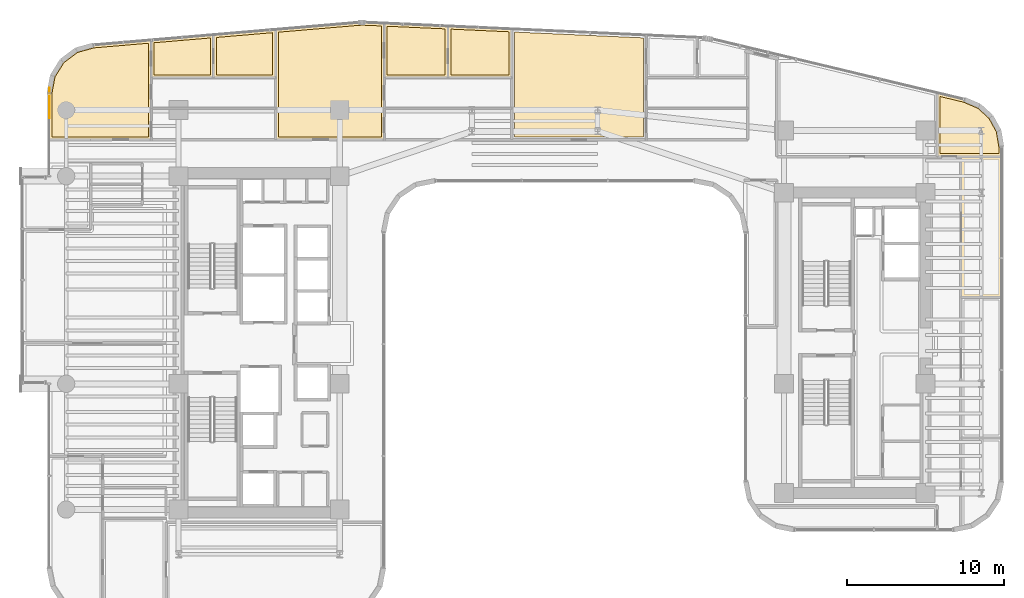
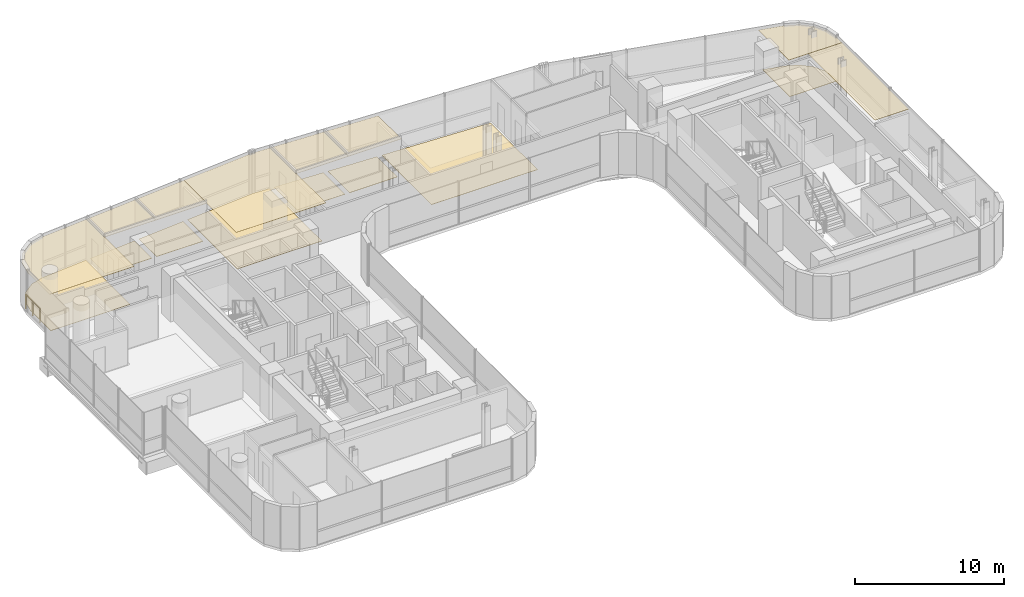
# One storey, part 35 of 36: 16 coverings, 1 railing.
"""IFC4 building model written with IfcOpenShell, lengths in metres."""

from ifc_helpers import new_model, si_unit, direction, frame, origin, origin_2d, place, context, subcontext, project, spatial, polyline, circle, outline, extrude, material, layer, layer_set, type_object, element, save


model = new_model("IFC4")

# Units and contexts
model_context = context("Model", 3, precision=1e-05, world=origin(), true_north=direction((0.0, 1.0)))
body_context = subcontext(model_context, "Body", "Model", "MODEL_VIEW")
ifc_project = project(units=[si_unit("LENGTHUNIT", "METRE"), si_unit("AREAUNIT", "SQUARE_METRE"), si_unit("VOLUMEUNIT", "CUBIC_METRE"), si_unit("PLANEANGLEUNIT", "RADIAN"), si_unit("MASSUNIT", "GRAM", prefix="KILO")], contexts=[model_context])

# Site, building, storey
site_placement = place(None, origin())
site = spatial("IfcSite", under=ifc_project, at=site_placement, CompositionType="ELEMENT")
building_placement = place(site_placement, origin())
building = spatial("IfcBuilding", under=site, at=building_placement, Name="Valdorenza Pilgrim Sanctuary Tower", CompositionType="ELEMENT")
storey_placement = place(building_placement, frame((0.0, 0.0, 109.39990234375)))
storey = spatial("IfcBuildingStorey", under=building, at=storey_placement, Name="L27", CompositionType="ELEMENT", Elevation=109.39990234375)

# Coverings
ifc_material_1 = material(Name="Micro-perforated acoustic mineral ceiling tile", Category="gypsum")
ifc_layer_1 = layer(ifc_material_1, 0.02490234375, Name="Micro-perforated acoustic mineral ceiling tile")
ifc_layer_set_1 = layer_set([ifc_layer_1], Name="Micro-perforated acoustic mineral ceiling tile")
covering_type_1 = type_object("IfcCoveringType", Name="COV-CLG-ACU", PredefinedType="CEILING", material=ifc_layer_set_1)
covering_1_placement = place(storey_placement, frame((0.0, 0.0, 3.16015625)))
element("IfcCovering", 1, at=covering_1_placement, inside=storey, type_object=covering_type_1, Name="L27 North Family Flat L27-N1 Bedroom 1 Acoustic Ceiling", PredefinedType="CEILING", context=body_context, shape_type="SweptSolid", body=[
    extrude(outline(polyline([(-24.38720703125, 16.85498046875), (-24.388671875, 16.85498046875), (-24.39013671875, 16.855224609375), (-24.3916015625, 16.855712890625), (-24.392822265625, 16.856201171875), (-24.394287109375, 16.856689453125), (-24.3955078125, 16.857421875), (-24.396728515625, 16.8583984375), (-24.397705078125, 16.859375), (-24.398681640625, 16.860595703125), (-24.399658203125, 16.86181640625), (-24.400390625, 16.86279296875), (-24.401123046875, 16.8642578125), (-24.401611328125, 16.865478515625), (-24.40185546875, 16.8671875), (-24.402099609375, 16.868408203125), (-24.402099609375, 16.8701171875), (-24.402099609375, 19.251708984375), (-24.402099609375, 19.253173828125), (-24.40185546875, 19.254638671875), (-24.401611328125, 19.256103515625), (-24.40087890625, 19.257568359375), (-24.400390625, 19.2587890625), (-24.399658203125, 19.260009765625), (-24.398681640625, 19.26123046875), (-24.397705078125, 19.262451171875), (-24.396484375, 19.263427734375), (-24.3955078125, 19.264404296875), (-24.39404296875, 19.264892578125), (-24.392822265625, 19.265625), (-24.391357421875, 19.26611328125), (-24.389892578125, 19.2666015625), (-24.388427734375, 19.2666015625), (-20.436279296875, 19.6025390625), (-20.434814453125, 19.6025390625), (-20.43359375, 19.6025390625), (-20.431884765625, 19.602294921875), (-20.4306640625, 19.601806640625), (-20.42919921875, 19.601318359375), (-20.427978515625, 19.600830078125), (-20.4267578125, 19.60009765625), (-20.425537109375, 19.59912109375), (-20.42431640625, 19.59814453125), (-20.423583984375, 19.59716796875), (-20.422607421875, 19.595947265625), (-20.421875, 19.594482421875), (-20.421142578125, 19.59326171875), (-20.420654296875, 19.591796875), (-20.42041015625, 19.590576171875), (-20.420166015625, 19.589111328125), (-20.420166015625, 19.587646484375), (-20.420166015625, 16.8701171875), (-20.420166015625, 16.868408203125), (-20.42041015625, 16.8671875), (-20.420654296875, 16.865478515625), (-20.421142578125, 16.8642578125), (-20.421875, 16.86279296875), (-20.422607421875, 16.86181640625), (-20.423583984375, 16.860595703125), (-20.424560546875, 16.859375), (-20.425537109375, 16.8583984375), (-20.4267578125, 16.857421875), (-20.427978515625, 16.856689453125), (-20.429443359375, 16.856201171875), (-20.4306640625, 16.855712890625), (-20.43212890625, 16.855224609375), (-20.43359375, 16.85498046875), (-20.43505859375, 16.85498046875), (-24.38720703125, 16.85498046875)])), origin(), (0.0, 0.0, 1.0), 0.02490234375),
])
covering_2_placement = place(storey_placement, frame((0.0, 0.0, 3.16015625)))
element("IfcCovering", 2, at=covering_2_placement, inside=storey, type_object=covering_type_1, Name="L27 North Family Flat L27-N1 Bedroom 2 Acoustic Ceiling", PredefinedType="CEILING", context=body_context, shape_type="SweptSolid", body=[
    extrude(outline(polyline([(-20.447998046875, 19.587646484375), (-20.447998046875, 19.58837890625), (-20.447998046875, 19.58984375), (-20.44775390625, 19.59130859375), (-20.447265625, 19.5927734375), (-20.44677734375, 19.593994140625), (-20.446044921875, 19.59521484375), (-20.4453125, 19.596435546875), (-20.4443359375, 19.59765625), (-20.443359375, 19.5986328125), (-20.4423828125, 19.599609375), (-20.441162109375, 19.6005859375), (-20.43994140625, 19.601318359375), (-20.438720703125, 19.601806640625), (-20.437255859375, 19.602294921875), (-20.435791015625, 19.6025390625), (-20.434326171875, 19.602783203125), (-16.484619140625, 19.9384765625), (-16.4833984375, 19.9384765625), (-16.48291015625, 19.9384765625), (-16.4814453125, 19.9384765625), (-16.47998046875, 19.938232421875), (-16.478515625, 19.93798828125), (-16.477294921875, 19.9375), (-16.475830078125, 19.936767578125), (-16.474609375, 19.93603515625), (-16.473388671875, 19.93505859375), (-16.472412109375, 19.93408203125), (-16.471435546875, 19.93310546875), (-16.470458984375, 19.931884765625), (-16.4697265625, 19.9306640625), (-16.468994140625, 19.92919921875), (-16.468505859375, 19.927978515625), (-16.46826171875, 19.926513671875), (-16.468017578125, 19.925048828125), (-16.468017578125, 19.923583984375), (-16.468017578125, 16.8701171875), (-16.468017578125, 16.868408203125), (-16.46826171875, 16.8671875), (-16.468505859375, 16.865478515625), (-16.468994140625, 16.8642578125), (-16.4697265625, 16.86279296875), (-16.470458984375, 16.86181640625), (-16.471435546875, 16.860595703125), (-16.472412109375, 16.859375), (-16.473388671875, 16.8583984375), (-16.474609375, 16.857421875), (-16.475830078125, 16.856689453125), (-16.477294921875, 16.856201171875), (-16.478515625, 16.855712890625), (-16.47998046875, 16.855224609375), (-16.4814453125, 16.85498046875), (-16.48291015625, 16.85498046875), (-20.43310546875, 16.85498046875), (-20.4345703125, 16.85498046875), (-20.43603515625, 16.855224609375), (-20.4375, 16.855712890625), (-20.438720703125, 16.856201171875), (-20.440185546875, 16.856689453125), (-20.44140625, 16.857421875), (-20.442626953125, 16.8583984375), (-20.443603515625, 16.859375), (-20.444580078125, 16.860595703125), (-20.445556640625, 16.86181640625), (-20.4462890625, 16.86279296875), (-20.447021484375, 16.8642578125), (-20.447509765625, 16.865478515625), (-20.44775390625, 16.8671875), (-20.447998046875, 16.868408203125), (-20.447998046875, 16.8701171875), (-20.447998046875, 19.587646484375), (-20.447998046875, 19.587646484375)])), origin(), (0.0, 0.0, 1.0), 0.02490234375),
])
covering_3_placement = place(storey_placement, frame((0.0, 0.0, 3.16015625)))
element("IfcCovering", 3, at=covering_3_placement, inside=storey, type_object=covering_type_1, Name="L27 North Family Flat L27-N1 Living Room Acoustic Ceiling", PredefinedType="CEILING", context=body_context, shape_type="SweptSolid", body=[
    extrude(outline(polyline([(-30.889892578125, 12.905029296875), (-30.8916015625, 12.905029296875), (-30.892822265625, 12.9052734375), (-30.894287109375, 12.905517578125), (-30.895751953125, 12.906005859375), (-30.897216796875, 12.90673828125), (-30.898193359375, 12.907470703125), (-30.8994140625, 12.908447265625), (-30.900634765625, 12.909423828125), (-30.901611328125, 12.910400390625), (-30.902587890625, 12.91162109375), (-30.9033203125, 12.912841796875), (-30.90380859375, 12.914306640625), (-30.904296875, 12.91552734375), (-30.90478515625, 12.9169921875), (-30.90478515625, 12.91845703125), (-30.905029296875, 12.919921875), (-30.905029296875, 15.850341796875), (-30.90478515625, 15.8515625), (-30.90478515625, 15.85302734375), (-30.692138671875, 16.984130859375), (-30.69189453125, 16.985595703125), (-30.69140625, 16.98681640625), (-30.69091796875, 16.98828125), (-30.690185546875, 16.989501953125), (-30.0869140625, 17.95751953125), (-30.086181640625, 17.958740234375), (-30.085205078125, 17.959716796875), (-30.084228515625, 17.960693359375), (-30.083251953125, 17.961669921875), (-29.169677734375, 18.64453125), (-29.16845703125, 18.6455078125), (-29.167236328125, 18.64599609375), (-29.166015625, 18.646484375), (-29.164794921875, 18.647216796875), (-28.055419921875, 18.95458984375), (-28.05419921875, 18.955078125), (-28.052734375, 18.955078125), (-24.390380859375, 19.2666015625), (-24.388916015625, 19.2666015625), (-24.3876953125, 19.2666015625), (-24.385986328125, 19.26611328125), (-24.384765625, 19.265869140625), (-24.38330078125, 19.265380859375), (-24.382080078125, 19.2646484375), (-24.380859375, 19.263916015625), (-24.379638671875, 19.26318359375), (-24.37841796875, 19.26220703125), (-24.377685546875, 19.260986328125), (-24.376708984375, 19.259765625), (-24.3759765625, 19.258544921875), (-24.375244140625, 19.257080078125), (-24.374755859375, 19.255859375), (-24.37451171875, 19.25439453125), (-24.374267578125, 19.2529296875), (-24.374267578125, 19.25146484375), (-24.374267578125, 16.87548828125), (-24.373779296875, 16.875), (-24.373291015625, 16.87353515625), (-24.372802734375, 16.872314453125), (-24.37255859375, 16.870849609375), (-24.372314453125, 16.869384765625), (-24.372314453125, 16.867919921875), (-24.372314453125, 12.919921875), (-24.372314453125, 12.91845703125), (-24.37255859375, 12.9169921875), (-24.372802734375, 12.91552734375), (-24.373291015625, 12.914306640625), (-24.3740234375, 12.912841796875), (-24.374755859375, 12.91162109375), (-24.37548828125, 12.910400390625), (-24.376708984375, 12.909423828125), (-24.377685546875, 12.908447265625), (-24.37890625, 12.907470703125), (-24.380126953125, 12.90673828125), (-24.381591796875, 12.906005859375), (-24.3828125, 12.905517578125), (-24.38427734375, 12.9052734375), (-24.3857421875, 12.905029296875), (-24.38720703125, 12.905029296875), (-30.889892578125, 12.905029296875)])), origin(), (0.0, 0.0, 1.0), 0.02490234375),
])
covering_4_placement = place(storey_placement, frame((0.0, 0.0, 3.16015625)))
element("IfcCovering", 4, at=covering_4_placement, inside=storey, type_object=covering_type_1, Name="L27 North Family Flat L27-N2 Bedroom 1 Acoustic Ceiling", PredefinedType="CEILING", context=body_context, shape_type="SweptSolid", body=[
    extrude(outline(polyline([(-9.57568359375, 16.85498046875), (-9.5771484375, 16.85498046875), (-9.57861328125, 16.855224609375), (-9.580078125, 16.855712890625), (-9.581298828125, 16.856201171875), (-9.582763671875, 16.856689453125), (-9.583984375, 16.857421875), (-9.585205078125, 16.8583984375), (-9.586181640625, 16.859375), (-9.587158203125, 16.860595703125), (-9.588134765625, 16.86181640625), (-9.5888671875, 16.86279296875), (-9.589599609375, 16.8642578125), (-9.590087890625, 16.865478515625), (-9.59033203125, 16.8671875), (-9.590576171875, 16.868408203125), (-9.590576171875, 16.8701171875), (-9.590576171875, 20.3251953125), (-9.590576171875, 20.32666015625), (-9.59033203125, 20.328125), (-9.58984375, 20.32958984375), (-9.58935546875, 20.3310546875), (-9.588623046875, 20.33251953125), (-9.587890625, 20.333740234375), (-9.5869140625, 20.3349609375), (-9.5859375, 20.3359375), (-9.584716796875, 20.3369140625), (-9.58349609375, 20.337890625), (-9.582275390625, 20.338623046875), (-9.580810546875, 20.339111328125), (-9.579345703125, 20.339599609375), (-9.577880859375, 20.33984375), (-9.576416015625, 20.340087890625), (-9.574951171875, 20.340087890625), (-5.5205078125, 20.15576171875), (-5.519287109375, 20.15576171875), (-5.517822265625, 20.155517578125), (-5.516357421875, 20.155029296875), (-5.51513671875, 20.154541015625), (-5.513916015625, 20.15380859375), (-5.5126953125, 20.153076171875), (-5.511474609375, 20.152099609375), (-5.510498046875, 20.151123046875), (-5.509521484375, 20.150146484375), (-5.5087890625, 20.14892578125), (-5.508056640625, 20.147705078125), (-5.50732421875, 20.146484375), (-5.5068359375, 20.14501953125), (-5.506591796875, 20.143798828125), (-5.50634765625, 20.142333984375), (-5.50634765625, 20.140869140625), (-5.50634765625, 16.8701171875), (-5.50634765625, 16.868408203125), (-5.506591796875, 16.8671875), (-5.5068359375, 16.865478515625), (-5.50732421875, 16.8642578125), (-5.508056640625, 16.86279296875), (-5.5087890625, 16.86181640625), (-5.509765625, 16.860595703125), (-5.5107421875, 16.859375), (-5.51171875, 16.8583984375), (-5.512939453125, 16.857421875), (-5.51416015625, 16.856689453125), (-5.515625, 16.856201171875), (-5.516845703125, 16.855712890625), (-5.518310546875, 16.855224609375), (-5.519775390625, 16.85498046875), (-5.521240234375, 16.85498046875), (-9.57568359375, 16.85498046875)])), origin(), (0.0, 0.0, 1.0), 0.02490234375),
])
covering_5_placement = place(storey_placement, frame((0.0, 0.0, 3.16015625)))
element("IfcCovering", 5, at=covering_5_placement, inside=storey, type_object=covering_type_1, Name="L27 North Family Flat L27-N2 Bedroom 2 Acoustic Ceiling", PredefinedType="CEILING", context=body_context, shape_type="SweptSolid", body=[
    extrude(outline(polyline([(-5.519287109375, 16.85498046875), (-5.520751953125, 16.85498046875), (-5.522216796875, 16.855224609375), (-5.523681640625, 16.855712890625), (-5.52490234375, 16.856201171875), (-5.5263671875, 16.856689453125), (-5.527587890625, 16.857421875), (-5.52880859375, 16.8583984375), (-5.52978515625, 16.859375), (-5.531005859375, 16.860595703125), (-5.53173828125, 16.86181640625), (-5.532470703125, 16.86279296875), (-5.533203125, 16.8642578125), (-5.53369140625, 16.865478515625), (-5.533935546875, 16.8671875), (-5.5341796875, 16.868408203125), (-5.5341796875, 16.8701171875), (-5.5341796875, 20.140625), (-5.5341796875, 20.142333984375), (-5.533935546875, 20.143798828125), (-5.53369140625, 20.145263671875), (-5.533203125, 20.146484375), (-5.532470703125, 20.14794921875), (-5.531494140625, 20.1494140625), (-5.53076171875, 20.150390625), (-5.52978515625, 20.151611328125), (-5.528564453125, 20.152587890625), (-5.52734375, 20.1533203125), (-5.52587890625, 20.154296875), (-5.524658203125, 20.15478515625), (-5.523193359375, 20.1552734375), (-5.521484375, 20.155517578125), (-5.52001953125, 20.15576171875), (-5.5185546875, 20.15576171875), (-1.46630859375, 19.971435546875), (-1.46484375, 19.971435546875), (-1.46337890625, 19.97119140625), (-1.462158203125, 19.970703125), (-1.460693359375, 19.97021484375), (-1.45947265625, 19.969482421875), (-1.458251953125, 19.96875), (-1.457275390625, 19.968017578125), (-1.456298828125, 19.966796875), (-1.455078125, 19.9658203125), (-1.454345703125, 19.964599609375), (-1.45361328125, 19.96337890625), (-1.453125, 19.962158203125), (-1.45263671875, 19.960693359375), (-1.452392578125, 19.95947265625), (-1.4521484375, 19.9580078125), (-1.451904296875, 19.95654296875), (-1.451904296875, 16.8701171875), (-1.4521484375, 16.868408203125), (-1.452392578125, 16.8671875), (-1.45263671875, 16.865478515625), (-1.453125, 16.8642578125), (-1.453857421875, 16.86279296875), (-1.45458984375, 16.86181640625), (-1.455322265625, 16.860595703125), (-1.456298828125, 16.859375), (-1.45751953125, 16.8583984375), (-1.458740234375, 16.857421875), (-1.4599609375, 16.856689453125), (-1.461181640625, 16.856201171875), (-1.462646484375, 16.855712890625), (-1.464111328125, 16.855224609375), (-1.465576171875, 16.85498046875), (-1.467041015625, 16.85498046875), (-5.519287109375, 16.85498046875)])), origin(), (0.0, 0.0, 1.0), 0.02490234375),
])
covering_6_placement = place(storey_placement, frame((0.0, 0.0, 3.16015625)))
element("IfcCovering", 6, at=covering_6_placement, inside=storey, type_object=covering_type_1, Name="L27 North Family Flat L27-N2 Living Room Acoustic Ceiling", PredefinedType="CEILING", context=body_context, shape_type="SweptSolid", body=[
    extrude(outline(polyline([(-16.49609375, 14.918212890625), (-16.49609375, 14.9189453125), (-16.496337890625, 14.92041015625), (-16.49609375, 14.922119140625), (-16.49609375, 14.923583984375), (-16.49609375, 14.923828125), (-16.49609375, 16.8662109375), (-16.49609375, 16.866943359375), (-16.496337890625, 16.868408203125), (-16.49609375, 16.8701171875), (-16.49609375, 16.87158203125), (-16.49609375, 16.871826171875), (-16.49609375, 19.923583984375), (-16.49609375, 19.923583984375), (-16.49609375, 19.92431640625), (-16.495849609375, 19.92578125), (-16.49560546875, 19.92724609375), (-16.4951171875, 19.9287109375), (-16.49462890625, 19.929931640625), (-16.493896484375, 19.93115234375), (-16.4931640625, 19.932373046875), (-16.4921875, 19.93359375), (-16.4912109375, 19.9345703125), (-16.490234375, 19.935546875), (-16.489013671875, 19.936279296875), (-16.48779296875, 19.93701171875), (-16.486572265625, 19.937744140625), (-16.485107421875, 19.93798828125), (-16.483642578125, 19.9384765625), (-16.482421875, 19.938720703125), (-11.20068359375, 20.3876953125), (-11.200439453125, 20.3876953125), (-11.099365234375, 20.39453125), (-11.098876953125, 20.39453125), (-10.998291015625, 20.398193359375), (-10.997802734375, 20.398193359375), (-10.897216796875, 20.398681640625), (-10.896728515625, 20.398681640625), (-10.79541015625, 20.3955078125), (-10.795166015625, 20.3955078125), (-9.576904296875, 20.340087890625), (-9.575439453125, 20.340087890625), (-9.57421875, 20.33984375), (-9.57275390625, 20.33935546875), (-9.5712890625, 20.3388671875), (-9.570068359375, 20.338134765625), (-9.56884765625, 20.33740234375), (-9.56787109375, 20.336669921875), (-9.56689453125, 20.335693359375), (-9.56591796875, 20.33447265625), (-9.56494140625, 20.333251953125), (-9.564208984375, 20.33203125), (-9.563720703125, 20.330810546875), (-9.563232421875, 20.329345703125), (-9.56298828125, 20.327880859375), (-9.562744140625, 20.32666015625), (-9.5625, 20.3251953125), (-9.5625, 16.87548828125), (-9.562255859375, 16.875), (-9.561767578125, 16.87353515625), (-9.561279296875, 16.872314453125), (-9.560791015625, 16.870849609375), (-9.560791015625, 16.869384765625), (-9.560546875, 16.867919921875), (-9.560546875, 12.919921875), (-9.560791015625, 12.91845703125), (-9.560791015625, 12.9169921875), (-9.561279296875, 12.91552734375), (-9.561767578125, 12.914306640625), (-9.5625, 12.912841796875), (-9.56298828125, 12.91162109375), (-9.56396484375, 12.910400390625), (-9.56494140625, 12.909423828125), (-9.566162109375, 12.908447265625), (-9.5673828125, 12.907470703125), (-9.568603515625, 12.90673828125), (-9.56982421875, 12.906005859375), (-9.5712890625, 12.905517578125), (-9.57275390625, 12.9052734375), (-9.57421875, 12.905029296875), (-9.57568359375, 12.905029296875), (-16.48095703125, 12.905029296875), (-16.482421875, 12.905029296875), (-16.48388671875, 12.9052734375), (-16.4853515625, 12.905517578125), (-16.48681640625, 12.906005859375), (-16.488037109375, 12.90673828125), (-16.4892578125, 12.907470703125), (-16.490478515625, 12.908447265625), (-16.49169921875, 12.909423828125), (-16.49267578125, 12.910400390625), (-16.493408203125, 12.91162109375), (-16.494140625, 12.912841796875), (-16.494873046875, 12.914306640625), (-16.495361328125, 12.91552734375), (-16.49560546875, 12.9169921875), (-16.495849609375, 12.91845703125), (-16.49609375, 12.919921875), (-16.49609375, 14.918212890625)])), origin(), (0.0, 0.0, 1.0), 0.02490234375),
])
covering_7_placement = place(storey_placement, frame((0.0, 0.0, 3.16015625)))
element("IfcCovering", 7, at=covering_7_placement, inside=storey, type_object=covering_type_1, Name="L27 East Wing Reference Library L27-BNE Acoustic Ceiling", PredefinedType="CEILING", context=body_context, shape_type="SweptSolid", body=[
    extrude(outline(polyline([(27.313720703125, 15.49755859375), (27.31494140625, 15.4970703125), (27.316162109375, 15.49658203125), (28.269775390625, 15.09130859375), (28.271240234375, 15.090576171875), (28.272705078125, 15.089599609375), (28.27392578125, 15.088623046875), (29.034912109375, 14.3994140625), (29.035888671875, 14.398193359375), (29.037109375, 14.39697265625), (29.037841796875, 14.3955078125), (29.531005859375, 13.4951171875), (29.53173828125, 13.49365234375), (29.5322265625, 13.4921875), (29.53271484375, 13.490478515625), (29.704833984375, 12.468994140625), (29.704833984375, 12.467529296875), (29.705078125, 12.46630859375), (29.705078125, 11.85009765625), (29.704833984375, 11.848388671875), (29.70458984375, 11.84716796875), (29.704345703125, 11.845703125), (29.703857421875, 11.84423828125), (29.703125, 11.843017578125), (29.702392578125, 11.841796875), (29.70166015625, 11.840576171875), (29.70068359375, 11.83935546875), (29.699462890625, 11.83837890625), (29.6982421875, 11.83740234375), (29.697021484375, 11.8369140625), (29.69580078125, 11.836181640625), (29.6943359375, 11.835693359375), (29.69287109375, 11.835205078125), (29.69140625, 11.835205078125), (29.68994140625, 11.8349609375), (25.60205078125, 11.8349609375), (25.6005859375, 11.835205078125), (25.59912109375, 11.835205078125), (25.59765625, 11.835693359375), (25.59619140625, 11.836181640625), (25.594970703125, 11.8369140625), (25.59375, 11.83740234375), (25.592529296875, 11.83837890625), (25.59130859375, 11.83935546875), (25.59033203125, 11.840576171875), (25.589599609375, 11.841796875), (25.5888671875, 11.843017578125), (25.588134765625, 11.84423828125), (25.587646484375, 11.845703125), (25.58740234375, 11.84716796875), (25.587158203125, 11.848388671875), (25.5869140625, 11.85009765625), (25.5869140625, 15.891845703125), (25.587158203125, 15.893310546875), (25.58740234375, 15.894775390625), (25.587646484375, 15.896240234375), (25.588134765625, 15.897705078125), (25.5888671875, 15.89892578125), (25.589599609375, 15.900390625), (25.590576171875, 15.901611328125), (25.591552734375, 15.902587890625), (25.5927734375, 15.903564453125), (25.593994140625, 15.904296875), (25.59521484375, 15.9052734375), (25.5966796875, 15.90576171875), (25.597900390625, 15.90625), (25.599609375, 15.906494140625), (25.60107421875, 15.90673828125), (25.6025390625, 15.90673828125), (25.60400390625, 15.906494140625), (25.60546875, 15.906494140625), (27.313720703125, 15.49755859375)])), origin(), (0.0, 0.0, 1.0), 0.02490234375),
])
covering_8_placement = place(storey_placement, frame((0.0, 0.0, 3.16015625)))
element("IfcCovering", 8, at=covering_8_placement, inside=storey, type_object=covering_type_1, Name="L27 East Reading Lounge L27-EB3 Acoustic Ceiling", PredefinedType="CEILING", context=body_context, shape_type="SweptSolid", body=[
    extrude(outline(polyline([(27.0849609375, 11.847900390625), (27.085205078125, 11.849609375), (27.085205078125, 11.850830078125), (27.085693359375, 11.852294921875), (27.086181640625, 11.853759765625), (27.0869140625, 11.85498046875), (27.08740234375, 11.856201171875), (27.08837890625, 11.857421875), (27.08935546875, 11.858642578125), (27.090576171875, 11.859619140625), (27.091796875, 11.860595703125), (27.093017578125, 11.861083984375), (27.09423828125, 11.86181640625), (27.095703125, 11.8623046875), (27.09716796875, 11.86279296875), (27.098388671875, 11.86279296875), (27.10009765625, 11.863037109375), (29.68994140625, 11.863037109375), (29.69140625, 11.86279296875), (29.69287109375, 11.86279296875), (29.6943359375, 11.8623046875), (29.69580078125, 11.86181640625), (29.697021484375, 11.861083984375), (29.6982421875, 11.860595703125), (29.699462890625, 11.859619140625), (29.70068359375, 11.858642578125), (29.70166015625, 11.857421875), (29.702392578125, 11.856201171875), (29.703125, 11.85498046875), (29.703857421875, 11.853759765625), (29.704345703125, 11.852294921875), (29.70458984375, 11.850830078125), (29.704833984375, 11.849609375), (29.705078125, 11.847900390625), (29.705078125, 2.902099609375), (29.704833984375, 2.900390625), (29.70458984375, 2.899169921875), (29.704345703125, 2.897705078125), (29.703857421875, 2.896240234375), (29.703125, 2.89501953125), (29.702392578125, 2.893798828125), (29.70166015625, 2.892578125), (29.70068359375, 2.891357421875), (29.699462890625, 2.890380859375), (29.6982421875, 2.889404296875), (29.697021484375, 2.888916015625), (29.69580078125, 2.88818359375), (29.6943359375, 2.8876953125), (29.69287109375, 2.88720703125), (29.69140625, 2.88720703125), (29.68994140625, 2.886962890625), (27.10009765625, 2.886962890625), (27.098388671875, 2.88720703125), (27.09716796875, 2.88720703125), (27.095703125, 2.8876953125), (27.09423828125, 2.88818359375), (27.093017578125, 2.888916015625), (27.091796875, 2.889404296875), (27.090576171875, 2.890380859375), (27.08935546875, 2.891357421875), (27.08837890625, 2.892578125), (27.08740234375, 2.893798828125), (27.0869140625, 2.89501953125), (27.086181640625, 2.896240234375), (27.085693359375, 2.897705078125), (27.085205078125, 2.899169921875), (27.085205078125, 2.900390625), (27.0849609375, 2.902099609375), (27.0849609375, 11.847900390625)])), origin(), (0.0, 0.0, 1.0), 0.02490234375),
])
ifc_material_2 = material(Name="Engineered European oak timber flooring", Category="wood")
ifc_layer_2 = layer(ifc_material_2, 0.02197265625, Name="Engineered European oak timber flooring")
ifc_layer_set_2 = layer_set([ifc_layer_2], Name="Engineered European oak timber flooring")
covering_type_2 = type_object("IfcCoveringType", Name="COV-FLR-OAK", PredefinedType="FLOORING", material=ifc_layer_set_2)
covering_9_placement = place(storey_placement, origin())
element("IfcCovering", 9, at=covering_9_placement, inside=storey, type_object=covering_type_2, Name="L27 North Family Flat L27-N1 Bedroom 1 Flooring", PredefinedType="FLOORING", context=body_context, shape_type="SweptSolid", body=[
    extrude(outline(polyline([(-24.207275390625, 17.050048828125), (-24.207275390625, 19.08642578125), (-20.614990234375, 19.3916015625), (-20.614990234375, 17.050048828125), (-24.207275390625, 17.050048828125)])), origin(), (0.0, 0.0, 1.0), 0.025146484375),
])
covering_10_placement = place(storey_placement, origin())
element("IfcCovering", 10, at=covering_10_placement, inside=storey, type_object=covering_type_2, Name="L27 North Family Flat L27-N1 Bedroom 2 Flooring", PredefinedType="FLOORING", context=body_context, shape_type="SweptSolid", body=[
    extrude(outline(polyline([(-16.6630859375, 17.050048828125), (-20.253173828125, 17.050048828125), (-20.253173828125, 19.42236328125), (-16.663330078125, 19.7275390625), (-16.6630859375, 17.050048828125)])), origin(), (0.0, 0.0, 1.0), 0.025146484375),
])
covering_11_placement = place(storey_placement, origin())
element("IfcCovering", 11, at=covering_11_placement, inside=storey, type_object=covering_type_2, Name="L27 North Family Flat L27-N1 Living Room Flooring", PredefinedType="FLOORING", context=body_context, shape_type="SweptSolid", body=[
    extrude(outline(polyline([(-30.7099609375, 13.10009765625), (-30.7099609375, 15.83349609375), (-30.5068359375, 16.9150390625), (-29.939208984375, 17.82568359375), (-29.080078125, 18.46826171875), (-28.01953125, 18.76220703125), (-24.569091796875, 19.0556640625), (-24.569091796875, 16.8701171875), (-24.5673828125, 13.10009765625), (-30.7099609375, 13.10009765625)])), origin(), (0.0, 0.0, 1.0), 0.025146484375),
])
covering_12_placement = place(storey_placement, origin())
element("IfcCovering", 12, at=covering_12_placement, inside=storey, type_object=covering_type_2, Name="L27 North Family Flat L27-N2 Bedroom 1 Flooring", PredefinedType="FLOORING", context=body_context, shape_type="SweptSolid", body=[
    extrude(outline(polyline([(-9.3955078125, 17.050048828125), (-9.3955078125, 20.13671875), (-5.701416015625, 19.96875), (-5.701416015625, 17.050048828125), (-9.3955078125, 17.050048828125)])), origin(), (0.0, 0.0, 1.0), 0.025146484375),
])
covering_13_placement = place(storey_placement, origin())
element("IfcCovering", 13, at=covering_13_placement, inside=storey, type_object=covering_type_2, Name="L27 North Family Flat L27-N2 Bedroom 2 Flooring", PredefinedType="FLOORING", context=body_context, shape_type="SweptSolid", body=[
    extrude(outline(polyline([(-5.33935546875, 17.050048828125), (-5.33935546875, 19.952392578125), (-1.64697265625, 19.784423828125), (-1.64697265625, 17.050048828125), (-5.33935546875, 17.050048828125)])), origin(), (0.0, 0.0, 1.0), 0.025146484375),
])
covering_14_placement = place(storey_placement, origin())
element("IfcCovering", 14, at=covering_14_placement, inside=storey, type_object=covering_type_2, Name="L27 North Family Flat L27-N2 Living Room Flooring", PredefinedType="FLOORING", context=body_context, shape_type="SweptSolid", body=[
    extrude(outline(polyline([(-16.301025390625, 14.921630859375), (-16.301025390625, 14.922119140625), (-16.301025390625, 16.867919921875), (-16.301025390625, 16.868896484375), (-16.301025390625, 16.86962890625), (-16.301025390625, 16.8701171875), (-16.301025390625, 19.75830078125), (-11.185546875, 20.193115234375), (-11.0888671875, 20.199951171875), (-10.994140625, 20.203125), (-10.8994140625, 20.20361328125), (-10.802490234375, 20.20068359375), (-9.757568359375, 20.1533203125), (-9.757568359375, 16.8701171875), (-9.755615234375, 13.10009765625), (-16.301025390625, 13.10009765625), (-16.301025390625, 14.919921875), (-16.301025390625, 14.9208984375), (-16.301025390625, 14.921630859375)])), origin(), (0.0, 0.0, 1.0), 0.025146484375),
])
covering_15_placement = place(storey_placement, origin())
element("IfcCovering", 15, at=covering_15_placement, inside=storey, type_object=covering_type_2, Name="L27 North Family Flat L27-N3 Living Room Flooring", PredefinedType="FLOORING", context=body_context, shape_type="SweptSolid", body=[
    extrude(outline(polyline([(-1.284912109375, 14.921630859375), (-1.284912109375, 14.922119140625), (-1.284912109375, 16.867919921875), (-1.284912109375, 16.868896484375), (-1.284912109375, 16.86962890625), (-1.284912109375, 16.8701171875), (-1.284912109375, 19.76806640625), (6.90869140625, 19.395751953125), (6.90869140625, 16.8701171875), (6.91064453125, 13.10009765625), (-1.284912109375, 13.10009765625), (-1.284912109375, 14.919921875), (-1.284912109375, 14.9208984375), (-1.284912109375, 14.921630859375)])), origin(), (0.0, 0.0, 1.0), 0.025146484375),
])
ifc_material_3 = material(Name="Honed travertine stone flooring", Category="masonry")
ifc_layer_3 = layer(ifc_material_3, 0.030029296875, Name="Honed travertine stone flooring")
ifc_layer_set_3 = layer_set([ifc_layer_3], Name="Honed travertine stone flooring")
covering_type_3 = type_object("IfcCoveringType", Name="COV-FLR-TRV", PredefinedType="FLOORING", material=ifc_layer_set_3)
covering_16_placement = place(storey_placement, origin())
element("IfcCovering", 16, at=covering_16_placement, inside=storey, type_object=covering_type_3, Name="L27 East Wing Reference Library L27-BNE Flooring", PredefinedType="FLOORING", context=body_context, shape_type="SweptSolid", body=[
    extrude(outline(polyline([(27.25390625, 15.311279296875), (28.16552734375, 14.923583984375), (28.88134765625, 14.275390625), (29.345458984375, 13.427978515625), (29.510009765625, 12.451416015625), (29.510009765625, 12.030029296875), (25.781982421875, 12.030029296875), (25.781982421875, 15.66357421875), (27.25390625, 15.311279296875)])), origin(), (0.0, 0.0, 1.0), 0.025146484375),
])

# Railing
ifc_material_4 = material(Name="Stainless steel Grade 316", Category="steel")
railing_type = type_object("IfcRailingType", Name="RLG-GRD-1120", PredefinedType="GUARDRAIL", material=ifc_material_4)
railing_placement = place(storey_placement, frame((-30.860107421875, 14.300048828125, 0.0)))
element("IfcRailing", 17, at=railing_placement, inside=storey, type_object=railing_type, Name="L27 NW Tangent Safety Sill Guard", PredefinedType="GUARDRAIL", context=body_context, shape_type="SweptSolid", body=[
    extrude(circle(Radius=0.02392578125, at=origin_2d()), frame((0.0, 0.0, 1.17578125), z_axis=(0.0, 1.0, 0.0), x_axis=(-1.0, 0.0, 0.0)), (0.0, 0.0, 1.0), 1.89990234375),
    extrude(circle(Radius=0.02099609375, at=origin_2d()), origin(), (0.0, 0.0, 1.0), 1.15185546875),
    extrude(circle(Radius=0.02099609375, at=origin_2d()), frame((0.0, 0.949951171875, 0.0)), (0.0, 0.0, 1.0), 1.15185546875),
    extrude(circle(Radius=0.02099609375, at=origin_2d()), frame((0.0, 1.89990234375, 0.0)), (0.0, 0.0, 1.0), 1.15185546875),
])

save(model, "model.ifc")
